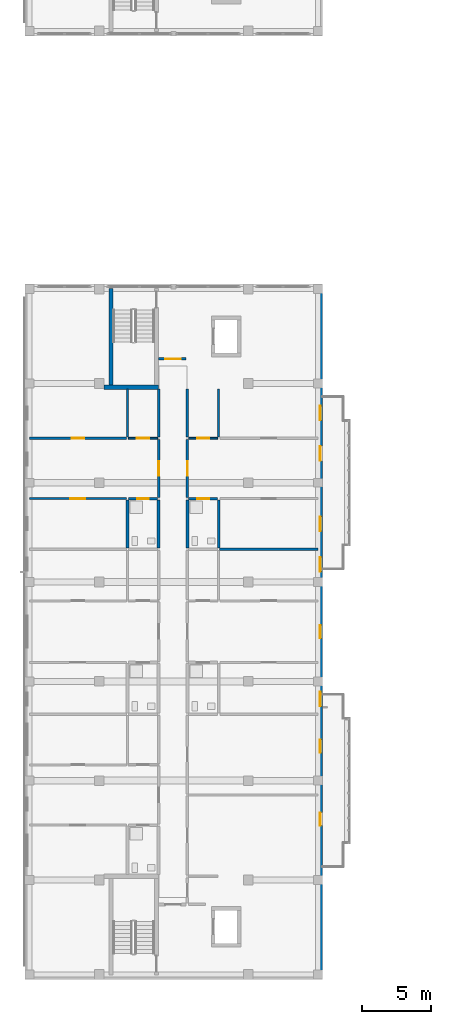
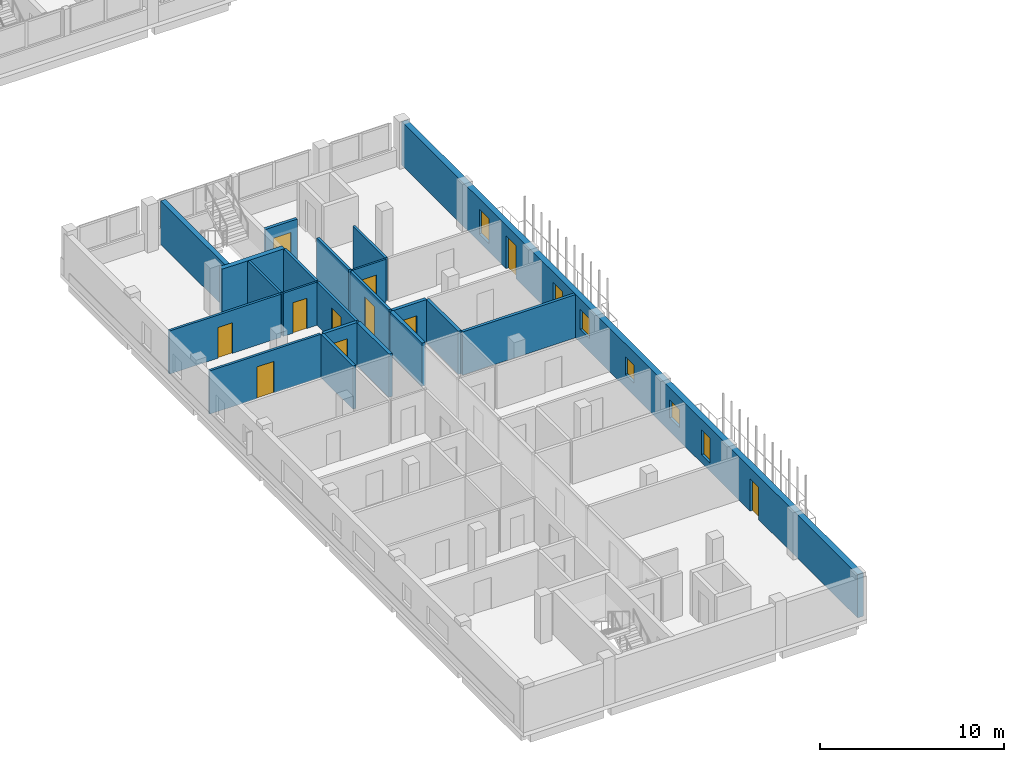
# One storey, part 26 of 51: 21 walls, 11 doors, 6 windows, 17 openings.
"""IFC4 building model written with IfcOpenShell, lengths in metres."""

from ifc_helpers import new_model, si_unit, derived_unit, direction, frame, frame_2d, origin, place, context, subcontext, project, spatial, rectangle, extrude, material, layer, layer_set, type_object, element, fill, save


model = new_model("IFC4")

# Units and contexts
model_context = context("Model", 3, precision=1e-05, world=origin(), true_north=direction((0.0, 1.0)))
body_context = subcontext(model_context, "Body", "Model", "MODEL_VIEW")
ifc_project = project(units=[si_unit("LENGTHUNIT", "METRE"), si_unit("AREAUNIT", "SQUARE_METRE"), si_unit("VOLUMEUNIT", "CUBIC_METRE"), si_unit("PLANEANGLEUNIT", "RADIAN"), si_unit("MASSUNIT", "GRAM", prefix="KILO"), derived_unit("THERMALTRANSMITTANCEUNIT", [(si_unit("MASSUNIT", "GRAM", prefix="KILO"), 1), (si_unit("TIMEUNIT", "SECOND"), -3), (si_unit("THERMODYNAMICTEMPERATUREUNIT", "KELVIN"), -1)])], contexts=[model_context])

# Site, building, storey
site_placement = place(None, origin())
site = spatial("IfcSite", under=ifc_project, at=site_placement, CompositionType="ELEMENT")
building_placement = place(site_placement, origin())
building = spatial("IfcBuilding", under=site, at=building_placement, Name="Ochrekiln Boulevard Commons", CompositionType="ELEMENT")
storey_placement = place(building_placement, frame((0.0, 0.0, 18.375)))
storey = spatial("IfcBuildingStorey", under=building, at=storey_placement, Name="L05", CompositionType="ELEMENT", Elevation=18.375)

# Wall, openings, doors, windows
ifc_material_1 = material(Name="Iron-spot brown clinker brick masonry ASTM C216 Grade SW", Category="masonry")
ifc_layer_1 = layer(ifc_material_1, 0.364990234375)
ifc_layer_set_1 = layer_set([ifc_layer_1], Name="Iron-spot brown clinker brick masonry ASTM C216 Grade SW")
wall_type_1 = type_object("IfcWallType", Name="WL-EXT-IRON-365", PredefinedType="SOLIDWALL", material=ifc_layer_set_1)
wall_1_placement = place(storey_placement, frame((21.41748046875, 0.364990234375, 0.0), z_axis=(0.0, 0.0, 1.0), x_axis=(0.0, 1.0, 0.0)))
wall_1 = element("IfcWall", 1, at=wall_1_placement, inside=storey, type_object=wall_type_1, Name="Block D L05 E Exterior Wall", PredefinedType="SOLIDWALL", context=body_context, shape_type="SweptSolid", body=[
    extrude(rectangle(XDim=49.669921875, YDim=0.364990234375, at=frame_2d((24.8349609375, 0.0))), origin(), (0.0, 0.0, 1.0), 2.889892578125),
])
opening_1_placement = place(wall_1_placement, frame((10.77099609375, 0.0, 0.0)))
opening_1 = element("IfcOpeningElement", 2, at=opening_1_placement, cuts=wall_1, Name="Opening D-L05-BL047", PredefinedType="OPENING", context=body_context, shape_type="SweptSolid", body=[
    extrude(rectangle(XDim=0.949951171875, YDim=2.14990234375, at=frame_2d((0.47509765625, 1.074951171875))), frame((0.0, 0.1923828125, 0.0), z_axis=(0.0, -1.0, 0.0), x_axis=(1.0, 0.0, 0.0)), (0.0, 0.0, 1.0), 0.385009765625),
])
opening_2_placement = place(wall_1_placement, frame((16.05810546875, 0.0, 0.554931640625)))
opening_2 = element("IfcOpeningElement", 3, at=opening_2_placement, cuts=wall_1, Name="Opening W-04", PredefinedType="OPENING", context=body_context, shape_type="SweptSolid", body=[
    extrude(rectangle(XDim=0.949951171875, YDim=1.64990234375, at=frame_2d((0.47509765625, 0.824951171875))), frame((0.0, 0.1923828125, 0.0), z_axis=(0.0, -1.0, 0.0), x_axis=(1.0, 0.0, 0.0)), (0.0, 0.0, 1.0), 0.385009765625),
])
opening_3_placement = place(wall_1_placement, frame((24.360107421875, 0.0, 0.85009765625)))
opening_3 = element("IfcOpeningElement", 4, at=opening_3_placement, cuts=wall_1, Name="Opening W-01", PredefinedType="OPENING", context=body_context, shape_type="SweptSolid", body=[
    extrude(rectangle(XDim=0.949951171875, YDim=1.199951171875, at=frame_2d((0.47509765625, 0.60009765625))), frame((0.0, 0.1923828125, 0.0), z_axis=(0.0, -1.0, 0.0), x_axis=(1.0, 0.0, 0.0)), (0.0, 0.0, 1.0), 0.385009765625),
])
opening_4_placement = place(wall_1_placement, frame((19.427978515625, 0.0, 0.89990234375)))
opening_4 = element("IfcOpeningElement", 5, at=opening_4_placement, cuts=wall_1, Name="Opening W-06", PredefinedType="OPENING", context=body_context, shape_type="SweptSolid", body=[
    extrude(rectangle(XDim=1.050048828125, YDim=1.199951171875, at=frame_2d((0.52490234375, 0.60009765625))), frame((0.0, 0.1923828125, 0.0), z_axis=(0.0, -1.0, 0.0), x_axis=(1.0, 0.0, 0.0)), (0.0, 0.0, 1.0), 0.385009765625),
])
opening_5_placement = place(wall_1_placement, frame((29.19189453125, 0.0, 0.85498046875)))
opening_5 = element("IfcOpeningElement", 6, at=opening_5_placement, cuts=wall_1, Name="Opening W-07", PredefinedType="OPENING", context=body_context, shape_type="SweptSolid", body=[
    extrude(rectangle(XDim=1.050048828125, YDim=1.35009765625, at=frame_2d((0.52490234375, 0.675048828125))), frame((0.0, 0.1923828125, 0.0), z_axis=(0.0, -1.0, 0.0), x_axis=(1.0, 0.0, 0.0)), (0.0, 0.0, 1.0), 0.385009765625),
])
opening_6_placement = place(wall_1_placement, frame((37.218017578125, 0.0, 0.0)))
opening_6 = element("IfcOpeningElement", 7, at=opening_6_placement, cuts=wall_1, Name="Opening D-L05-BL048", PredefinedType="OPENING", context=body_context, shape_type="SweptSolid", body=[
    extrude(rectangle(XDim=1.080078125, YDim=2.179931640625, at=frame_2d((0.5400390625, 1.08984375))), frame((0.0, 0.1923828125, 0.0), z_axis=(0.0, -1.0, 0.0), x_axis=(1.0, 0.0, 0.0)), (0.0, 0.0, 1.0), 0.385009765625),
])
opening_7_placement = place(wall_1_placement, frame((32.1298828125, 0.0, 0.705078125)))
opening_7 = element("IfcOpeningElement", 8, at=opening_7_placement, cuts=wall_1, Name="Opening W-08", PredefinedType="OPENING", context=body_context, shape_type="SweptSolid", body=[
    extrude(rectangle(XDim=1.050048828125, YDim=1.5, at=frame_2d((0.52490234375, 0.75))), frame((0.0, 0.1923828125, 0.0), z_axis=(0.0, -1.0, 0.0), x_axis=(1.0, 0.0, 0.0)), (0.0, 0.0, 1.0), 0.385009765625),
])
opening_8_placement = place(wall_1_placement, frame((40.1630859375, 0.0, 0.554931640625)))
opening_8 = element("IfcOpeningElement", 9, at=opening_8_placement, cuts=wall_1, Name="Opening W-09", PredefinedType="OPENING", context=body_context, shape_type="SweptSolid", body=[
    extrude(rectangle(XDim=1.050048828125, YDim=1.64990234375, at=frame_2d((0.52490234375, 0.824951171875))), frame((0.0, 0.1923828125, 0.0), z_axis=(0.0, -1.0, 0.0), x_axis=(1.0, 0.0, 0.0)), (0.0, 0.0, 1.0), 0.385009765625),
])
ifc_material_2 = material(Name="Thermally broken aluminium-clad oak frame", Category="aluminium")
door_type_1 = type_object("IfcDoorType", Name="DR-EXT-BAL-095", OperationType="NOTDEFINED", PredefinedType="DOOR", material=ifc_material_2)
door_1_placement = place(opening_1_placement, frame((0.949951171875, 0.0, 0.0), z_axis=(0.0, 0.0, 1.0), x_axis=(-1.0, 0.0, 0.0)))
door_1 = element("IfcDoor", 10, at=door_1_placement, inside=storey, type_object=door_type_1, Name="Block D L05 Glazed Balcony Patio Door", OperationType="SINGLE_SWING_RIGHT", OverallHeight=2.14990234375, OverallWidth=0.949951171875, PredefinedType="DOOR", context=body_context, shape_type="SweptSolid", body=[
    extrude(rectangle(XDim=0.949951171875, YDim=2.14990234375, at=frame_2d((0.47509765625, 1.074951171875))), frame((0.0, 0.02490234375, 0.0), z_axis=(0.0, -1.0, 0.0), x_axis=(1.0, 0.0, 0.0)), (0.0, 0.0, 1.0), 0.050048828125),
])
fill(opening_1, door_1)
door_type_2 = type_object("IfcDoorType", Name="DR-EXT-BAL-108", OperationType="NOTDEFINED", PredefinedType="DOOR", material=ifc_material_2)
door_2_placement = place(opening_6_placement, frame((1.080078125, 0.0, 0.0), z_axis=(0.0, 0.0, 1.0), x_axis=(-1.0, 0.0, 0.0)))
door_2 = element("IfcDoor", 11, at=door_2_placement, inside=storey, type_object=door_type_2, Name="Block D L05 Glazed Balcony Patio Door", OperationType="SINGLE_SWING_LEFT", OverallHeight=2.179931640625, OverallWidth=1.080078125, PredefinedType="DOOR", context=body_context, shape_type="SweptSolid", body=[
    extrude(rectangle(XDim=1.080078125, YDim=2.179931640625, at=frame_2d((0.5400390625, 1.08984375))), frame((0.0, 0.02490234375, 0.0), z_axis=(0.0, -1.0, 0.0), x_axis=(1.0, 0.0, 0.0)), (0.0, 0.0, 1.0), 0.050048828125),
])
fill(opening_6, door_2)
window_type_1 = type_object("IfcWindowType", Name="WIN-EXT-01", PartitioningType="SINGLE_PANEL", PredefinedType="WINDOW", material=ifc_material_2)
window_1_placement = place(opening_3_placement, origin())
window_1 = element("IfcWindow", 12, at=window_1_placement, inside=storey, type_object=window_type_1, Name="Block D L05 Punched Masonry Window W-01", OverallHeight=1.199951171875, OverallWidth=0.949951171875, PartitioningType="SINGLE_PANEL", PredefinedType="WINDOW", context=body_context, shape_type="SweptSolid", body=[
    extrude(rectangle(XDim=0.949951171875, YDim=1.199951171875, at=frame_2d((0.47509765625, 0.60009765625))), frame((0.0, 0.030029296875, 0.0), z_axis=(0.0, -1.0, 0.0), x_axis=(1.0, 0.0, 0.0)), (0.0, 0.0, 1.0), 0.06005859375),
])
fill(opening_3, window_1)
window_type_2 = type_object("IfcWindowType", Name="WIN-EXT-04", PartitioningType="SINGLE_PANEL", PredefinedType="WINDOW", material=ifc_material_2)
window_2_placement = place(opening_2_placement, origin())
window_2 = element("IfcWindow", 13, at=window_2_placement, inside=storey, type_object=window_type_2, Name="Block D L05 Punched Masonry Window W-04", OverallHeight=1.64990234375, OverallWidth=0.949951171875, PartitioningType="SINGLE_PANEL", PredefinedType="WINDOW", context=body_context, shape_type="SweptSolid", body=[
    extrude(rectangle(XDim=0.949951171875, YDim=1.64990234375, at=frame_2d((0.47509765625, 0.824951171875))), frame((0.0, 0.030029296875, 0.0), z_axis=(0.0, -1.0, 0.0), x_axis=(1.0, 0.0, 0.0)), (0.0, 0.0, 1.0), 0.06005859375),
])
fill(opening_2, window_2)
window_type_3 = type_object("IfcWindowType", Name="WIN-EXT-06", PartitioningType="SINGLE_PANEL", PredefinedType="WINDOW", material=ifc_material_2)
window_3_placement = place(opening_4_placement, origin())
window_3 = element("IfcWindow", 14, at=window_3_placement, inside=storey, type_object=window_type_3, Name="Block D L05 Punched Masonry Window W-06", OverallHeight=1.199951171875, OverallWidth=1.050048828125, PartitioningType="SINGLE_PANEL", PredefinedType="WINDOW", context=body_context, shape_type="SweptSolid", body=[
    extrude(rectangle(XDim=1.050048828125, YDim=1.199951171875, at=frame_2d((0.52490234375, 0.60009765625))), frame((0.0, 0.030029296875, 0.0), z_axis=(0.0, -1.0, 0.0), x_axis=(1.0, 0.0, 0.0)), (0.0, 0.0, 1.0), 0.06005859375),
])
fill(opening_4, window_3)
window_type_4 = type_object("IfcWindowType", Name="WIN-EXT-07", PartitioningType="SINGLE_PANEL", PredefinedType="WINDOW", material=ifc_material_2)
window_4_placement = place(opening_5_placement, origin())
window_4 = element("IfcWindow", 15, at=window_4_placement, inside=storey, type_object=window_type_4, Name="Block D L05 Punched Masonry Window W-07", OverallHeight=1.35009765625, OverallWidth=1.050048828125, PartitioningType="SINGLE_PANEL", PredefinedType="WINDOW", context=body_context, shape_type="SweptSolid", body=[
    extrude(rectangle(XDim=1.050048828125, YDim=1.35009765625, at=frame_2d((0.52490234375, 0.675048828125))), frame((0.0, 0.030029296875, 0.0), z_axis=(0.0, -1.0, 0.0), x_axis=(1.0, 0.0, 0.0)), (0.0, 0.0, 1.0), 0.06005859375),
])
fill(opening_5, window_4)
window_type_5 = type_object("IfcWindowType", Name="WIN-EXT-08", PartitioningType="SINGLE_PANEL", PredefinedType="WINDOW", material=ifc_material_2)
window_5_placement = place(opening_7_placement, origin())
window_5 = element("IfcWindow", 16, at=window_5_placement, inside=storey, type_object=window_type_5, Name="Block D L05 Punched Masonry Window W-08", OverallHeight=1.5, OverallWidth=1.050048828125, PartitioningType="SINGLE_PANEL", PredefinedType="WINDOW", context=body_context, shape_type="SweptSolid", body=[
    extrude(rectangle(XDim=1.050048828125, YDim=1.5, at=frame_2d((0.52490234375, 0.75))), frame((0.0, 0.030029296875, 0.0), z_axis=(0.0, -1.0, 0.0), x_axis=(1.0, 0.0, 0.0)), (0.0, 0.0, 1.0), 0.06005859375),
])
fill(opening_7, window_5)
window_type_6 = type_object("IfcWindowType", Name="WIN-EXT-09", PartitioningType="SINGLE_PANEL", PredefinedType="WINDOW", material=ifc_material_2)
window_6_placement = place(opening_8_placement, origin())
window_6 = element("IfcWindow", 17, at=window_6_placement, inside=storey, type_object=window_type_6, Name="Block D L05 Punched Masonry Window W-09", OverallHeight=1.64990234375, OverallWidth=1.050048828125, PartitioningType="SINGLE_PANEL", PredefinedType="WINDOW", context=body_context, shape_type="SweptSolid", body=[
    extrude(rectangle(XDim=1.050048828125, YDim=1.64990234375, at=frame_2d((0.52490234375, 0.824951171875))), frame((0.0, 0.030029296875, 0.0), z_axis=(0.0, -1.0, 0.0), x_axis=(1.0, 0.0, 0.0)), (0.0, 0.0, 1.0), 0.06005859375),
])
fill(opening_8, window_6)

# Wall, opening, door
ifc_material_3 = material(Name="Moisture-resistant cementitious tile backer wall")
ifc_layer_2 = layer(ifc_material_3, 0.199951171875)
ifc_layer_set_2 = layer_set([ifc_layer_2], Name="Moisture-resistant cementitious tile backer wall")
wall_type_2 = type_object("IfcWallType", Name="WL-PLM-200", PredefinedType="PLUMBINGWALL", material=ifc_layer_set_2)
wall_2_placement = place(storey_placement, frame((7.52001953125, 34.846923828125, 0.0), z_axis=(0.0, 0.0, 1.0), x_axis=(1.0, 0.0, 0.0)))
wall_2 = element("IfcWall", 18, at=wall_2_placement, inside=storey, type_object=wall_type_2, Name="L05 Interior Wall W-PW200", PredefinedType="PLUMBINGWALL", context=body_context, shape_type="SweptSolid", body=[
    extrude(rectangle(XDim=2.10791015625, YDim=0.199951171875, at=frame_2d((1.053955078125, 0.0))), origin(), (0.0, 0.0, 1.0), 2.8701171875),
])
opening_9_placement = place(wall_2_placement, frame((0.6201171875, 0.0, 0.0)))
opening_9 = element("IfcOpeningElement", 19, at=opening_9_placement, cuts=wall_2, Name="Opening D-L05-770", PredefinedType="OPENING", context=body_context, shape_type="SweptSolid", body=[
    extrude(rectangle(XDim=0.860107421875, YDim=2.0, at=frame_2d((0.43017578125, 1.0))), frame((0.0, 0.10986328125, 0.0), z_axis=(0.0, -1.0, 0.0), x_axis=(1.0, 0.0, 0.0)), (0.0, 0.0, 1.0), 0.219970703125),
])
ifc_material_4 = material(Name="Solid core architectural oak door leaf")
door_type_3 = type_object("IfcDoorType", Name="DR-INT-BTH-086", OperationType="NOTDEFINED", PredefinedType="DOOR", material=ifc_material_4)
door_3_placement = place(opening_9_placement, frame((0.860107421875, 0.0, 0.0), z_axis=(0.0, 0.0, 1.0), x_axis=(-1.0, 0.0, 0.0)))
door_3 = element("IfcDoor", 20, at=door_3_placement, inside=storey, type_object=door_type_3, Name="L05 Interior Door to Apartment Bathroom", OperationType="SINGLE_SWING_RIGHT", OverallHeight=2.0, OverallWidth=0.860107421875, PredefinedType="DOOR", context=body_context, shape_type="SweptSolid", body=[
    extrude(rectangle(XDim=0.860107421875, YDim=2.0, at=frame_2d((0.43017578125, 1.0))), frame((0.0, 0.02490234375, 0.0), z_axis=(0.0, -1.0, 0.0), x_axis=(1.0, 0.0, 0.0)), (0.0, 0.0, 1.0), 0.050048828125),
])
fill(opening_9, door_3)

# Wall
wall_3_placement = place(storey_placement, frame((7.43994140625, 31.27392578125, 0.0), z_axis=(0.0, 0.0, 1.0), x_axis=(0.0, 1.0, 0.0)))
element("IfcWall", 21, at=wall_3_placement, inside=storey, type_object=wall_type_2, Name="L05 Interior Wall W-PW200", PredefinedType="PLUMBINGWALL", context=body_context, shape_type="SweptSolid", body=[
    extrude(rectangle(XDim=3.4931640625, YDim=0.199951171875, at=frame_2d((1.74658203125, 0.0))), origin(), (0.0, 0.0, 1.0), 2.8701171875),
])

# Wall, opening, door
wall_4_placement = place(storey_placement, frame((11.8720703125, 34.846923828125, 0.0), z_axis=(0.0, 0.0, 1.0), x_axis=(1.0, 0.0, 0.0)))
wall_4 = element("IfcWall", 22, at=wall_4_placement, inside=storey, type_object=wall_type_2, Name="L05 Interior Wall W-PW200", PredefinedType="PLUMBINGWALL", context=body_context, shape_type="SweptSolid", body=[
    extrude(rectangle(XDim=2.10791015625, YDim=0.199951171875, at=frame_2d((1.053955078125, 0.0))), origin(), (0.0, 0.0, 1.0), 2.8701171875),
])
opening_10_placement = place(wall_4_placement, frame((0.6279296875, 0.0, 0.0)))
opening_10 = element("IfcOpeningElement", 23, at=opening_10_placement, cuts=wall_4, Name="Opening D-L05-778", PredefinedType="OPENING", context=body_context, shape_type="SweptSolid", body=[
    extrude(rectangle(XDim=0.860107421875, YDim=2.0, at=frame_2d((0.43017578125, 1.0))), frame((0.0, 0.10986328125, 0.0), z_axis=(0.0, -1.0, 0.0), x_axis=(1.0, 0.0, 0.0)), (0.0, 0.0, 1.0), 0.219970703125),
])
door_4_placement = place(opening_10_placement, frame((0.860107421875, 0.0, 0.0), z_axis=(0.0, 0.0, 1.0), x_axis=(-1.0, 0.0, 0.0)))
door_4 = element("IfcDoor", 24, at=door_4_placement, inside=storey, type_object=door_type_3, Name="L05 Interior Door to Apartment Bathroom", OperationType="SINGLE_SWING_RIGHT", OverallHeight=2.0, OverallWidth=0.860107421875, PredefinedType="DOOR", context=body_context, shape_type="SweptSolid", body=[
    extrude(rectangle(XDim=0.860107421875, YDim=2.0, at=frame_2d((0.43017578125, 1.0))), frame((0.0, 0.02490234375, 0.0), z_axis=(0.0, -1.0, 0.0), x_axis=(1.0, 0.0, 0.0)), (0.0, 0.0, 1.0), 0.050048828125),
])
fill(opening_10, door_4)

# Walls
wall_5_placement = place(storey_placement, frame((14.06005859375, 31.27392578125, 0.0), z_axis=(0.0, 0.0, 1.0), x_axis=(0.0, 1.0, 0.0)))
element("IfcWall", 25, at=wall_5_placement, inside=storey, type_object=wall_type_2, Name="L05 Interior Wall W-PW200", PredefinedType="PLUMBINGWALL", context=body_context, shape_type="SweptSolid", body=[
    extrude(rectangle(XDim=3.4931640625, YDim=0.199951171875, at=frame_2d((1.74658203125, 0.0))), origin(), (0.0, 0.0, 1.0), 2.8701171875),
])
ifc_layer_3 = layer(ifc_material_3, 0.219970703125)
ifc_layer_set_3 = layer_set([ifc_layer_3], Name="Moisture-resistant cementitious tile backer wall")
wall_type_3 = type_object("IfcWallType", Name="WL-PLM-220", PredefinedType="PLUMBINGWALL", material=ifc_layer_set_3)
for number, where, z_axis, x_axis, name in (
    (26, (9.7099609375, 31.27392578125, 0.0), (0.0, 0.0, 1.0), (0.0, 1.0, 0.0), "L05 Interior Wall W-PW220"),
    (27, (11.7900390625, 31.27392578125, 0.0), (0.0, 0.0, 1.0), (0.0, 1.0, 0.0), "L05 Interior Wall W-PW220"),
):
    element("IfcWall", number, at=place(storey_placement, frame(where, z_axis=z_axis, x_axis=x_axis)), inside=storey, type_object=wall_type_3, Name=name, PredefinedType="PLUMBINGWALL", context=body_context, shape_type="SweptSolid", body=[
        extrude(rectangle(XDim=3.4931640625, YDim=0.219970703125, at=frame_2d((1.74658203125, 0.0))), origin(), (0.0, 0.0, 1.0), 2.8701171875),
    ])

# Wall, opening, door
ifc_material_5 = material(Name="Fire-rated Type X gypsum board on steel studs", Category="steel")
ifc_layer_4 = layer(ifc_material_5, 0.1650390625)
ifc_layer_set_4 = layer_set([ifc_layer_4], Name="Fire-rated Type X gypsum board on steel studs")
wall_type_4 = type_object("IfcWallType", Name="WL-PT-CORR-165", PredefinedType="PARTITIONING", material=ifc_layer_set_4)
wall_6_placement = place(storey_placement, frame((9.7099609375, 34.927001953125, 0.0), z_axis=(0.0, 0.0, 1.0), x_axis=(0.0, 1.0, 0.0)))
wall_6 = element("IfcWall", 28, at=wall_6_placement, inside=storey, type_object=wall_type_4, Name="L05 Interior Wall W-PC165", PredefinedType="PARTITIONING", context=body_context, shape_type="SweptSolid", body=[
    extrude(rectangle(XDim=4.219970703125, YDim=0.1650390625, at=frame_2d((2.10986328125, 0.0))), origin(), (0.0, 0.0, 1.0), 2.8701171875),
])
opening_11_placement = place(wall_6_placement, frame((1.5849609375, 0.0, 0.0)))
opening_11 = element("IfcOpeningElement", 29, at=opening_11_placement, cuts=wall_6, Name="Opening D-L05-757", PredefinedType="OPENING", context=body_context, shape_type="SweptSolid", body=[
    extrude(rectangle(XDim=1.050048828125, YDim=2.1298828125, at=frame_2d((0.52490234375, 1.06494140625))), frame((0.0, 0.092529296875, 0.0), z_axis=(0.0, -1.0, 0.0), x_axis=(1.0, 0.0, 0.0)), (0.0, 0.0, 1.0), 0.18505859375),
])
door_type_4 = type_object("IfcDoorType", Name="DR-INT-APT-105", OperationType="NOTDEFINED", PredefinedType="DOOR", material=ifc_material_4)
door_5_placement = place(opening_11_placement, origin())
door_5 = element("IfcDoor", 30, at=door_5_placement, inside=storey, type_object=door_type_4, Name="L05 Interior Door to Two-Bedroom Apartment Living Room", OperationType="SINGLE_SWING_LEFT", OverallHeight=2.1298828125, OverallWidth=1.050048828125, PredefinedType="DOOR", context=body_context, shape_type="SweptSolid", body=[
    extrude(rectangle(XDim=1.050048828125, YDim=2.1298828125, at=frame_2d((0.52490234375, 1.06494140625))), frame((0.0, 0.02490234375, 0.0), z_axis=(0.0, -1.0, 0.0), x_axis=(1.0, 0.0, 0.0)), (0.0, 0.0, 1.0), 0.050048828125),
])
fill(opening_11, door_5)

# Wall
wall_7_placement = place(storey_placement, frame((9.7099609375, 39.306884765625, 0.0), z_axis=(0.0, 0.0, 1.0), x_axis=(0.0, 1.0, 0.0)))
element("IfcWall", 31, at=wall_7_placement, inside=storey, type_object=wall_type_4, Name="L05 Interior Wall W-PC165", PredefinedType="PARTITIONING", context=body_context, shape_type="SweptSolid", body=[
    extrude(rectangle(XDim=3.4931640625, YDim=0.1650390625, at=frame_2d((1.74658203125, 0.0))), origin(), (0.0, 0.0, 1.0), 2.8701171875),
])

# Wall, opening, door
wall_8_placement = place(storey_placement, frame((11.7900390625, 34.927001953125, 0.0), z_axis=(0.0, 0.0, 1.0), x_axis=(0.0, 1.0, 0.0)))
wall_8 = element("IfcWall", 32, at=wall_8_placement, inside=storey, type_object=wall_type_4, Name="L05 Interior Wall W-PC165", PredefinedType="PARTITIONING", context=body_context, shape_type="SweptSolid", body=[
    extrude(rectangle(XDim=4.219970703125, YDim=0.1650390625, at=frame_2d((2.10986328125, 0.0))), origin(), (0.0, 0.0, 1.0), 2.8701171875),
])
opening_12_placement = place(wall_8_placement, frame((1.5849609375, 0.0, 0.0)))
opening_12 = element("IfcOpeningElement", 33, at=opening_12_placement, cuts=wall_8, Name="Opening D-L05-761", PredefinedType="OPENING", context=body_context, shape_type="SweptSolid", body=[
    extrude(rectangle(XDim=1.050048828125, YDim=2.1298828125, at=frame_2d((0.52490234375, 1.06494140625))), frame((0.0, 0.092529296875, 0.0), z_axis=(0.0, -1.0, 0.0), x_axis=(1.0, 0.0, 0.0)), (0.0, 0.0, 1.0), 0.18505859375),
])
door_6_placement = place(opening_12_placement, frame((1.050048828125, 0.0, 0.0), z_axis=(0.0, 0.0, 1.0), x_axis=(-1.0, 0.0, 0.0)))
door_6 = element("IfcDoor", 34, at=door_6_placement, inside=storey, type_object=door_type_4, Name="L05 Interior Door to Two-Bedroom Apartment Living Room", OperationType="SINGLE_SWING_LEFT", OverallHeight=2.1298828125, OverallWidth=1.050048828125, PredefinedType="DOOR", context=body_context, shape_type="SweptSolid", body=[
    extrude(rectangle(XDim=1.050048828125, YDim=2.1298828125, at=frame_2d((0.52490234375, 1.06494140625))), frame((0.0, 0.02490234375, 0.0), z_axis=(0.0, -1.0, 0.0), x_axis=(1.0, 0.0, 0.0)), (0.0, 0.0, 1.0), 0.050048828125),
])
fill(opening_12, door_6)

# Walls
wall_9_placement = place(storey_placement, frame((11.7900390625, 39.306884765625, 0.0), z_axis=(0.0, 0.0, 1.0), x_axis=(0.0, 1.0, 0.0)))
element("IfcWall", 35, at=wall_9_placement, inside=storey, type_object=wall_type_4, Name="L05 Interior Wall W-PC165", PredefinedType="PARTITIONING", context=body_context, shape_type="SweptSolid", body=[
    extrude(rectangle(XDim=3.4931640625, YDim=0.1650390625, at=frame_2d((1.74658203125, 0.0))), origin(), (0.0, 0.0, 1.0), 2.8701171875),
])
ifc_layer_5 = layer(ifc_material_5, 0.179931640625)
ifc_layer_set_5 = layer_set([ifc_layer_5], Name="Fire-rated Type X gypsum board on steel studs")
wall_type_5 = type_object("IfcWallType", Name="WL-PT-DEM-180", PredefinedType="PARTITIONING", material=ifc_layer_set_5)
wall_10_placement = place(storey_placement, frame((14.135009765625, 31.18408203125, 0.0), z_axis=(0.0, 0.0, 1.0), x_axis=(1.0, 0.0, 0.0)))
element("IfcWall", 36, at=wall_10_placement, inside=storey, type_object=wall_type_5, Name="L05 Interior Wall W-PD180", PredefinedType="PARTITIONING", context=body_context, shape_type="SweptSolid", body=[
    extrude(rectangle(XDim=7.114990234375, YDim=0.179931640625, at=frame_2d((3.5576171875, 0.0))), origin(), (0.0, 0.0, 1.0), 2.8701171875),
])

# Wall, opening, door
ifc_layer_6 = layer(ifc_material_5, 0.18994140625)
ifc_layer_set_6 = layer_set([ifc_layer_6], Name="Fire-rated Type X gypsum board on steel studs")
wall_type_6 = type_object("IfcWallType", Name="WL-PT-LBY-190", PredefinedType="PARTITIONING", material=ifc_layer_set_6)
wall_11_placement = place(storey_placement, frame((9.699951171875, 44.97998046875, 0.0), z_axis=(0.0, 0.0, 1.0), x_axis=(1.0, 0.0, 0.0)))
wall_11 = element("IfcWall", 37, at=wall_11_placement, inside=storey, type_object=wall_type_6, Name="L05 Interior Wall W-PL190", PredefinedType="PARTITIONING", context=body_context, shape_type="SweptSolid", body=[
    extrude(rectangle(XDim=2.0, YDim=0.18994140625, at=frame_2d((1.0, 0.0))), origin(), (0.0, 0.0, 1.0), 2.8701171875),
])
opening_13_placement = place(wall_11_placement, frame((0.5, 0.0, 0.0)))
opening_13 = element("IfcOpeningElement", 38, at=opening_13_placement, cuts=wall_11, Name="Opening D-L05-753", PredefinedType="OPENING", context=body_context, shape_type="SweptSolid", body=[
    extrude(rectangle(XDim=1.10009765625, YDim=2.1201171875, at=frame_2d((0.550048828125, 1.06005859375))), frame((0.0, 0.10498046875, 0.0), z_axis=(0.0, -1.0, 0.0), x_axis=(1.0, 0.0, 0.0)), (0.0, 0.0, 1.0), 0.2099609375),
])
ifc_material_6 = material(Name="Hollow metal fire-rated steel door assembly", Category="steel")
door_type_5 = type_object("IfcDoorType", Name="DR-LOBBY-60", OperationType="NOTDEFINED", PredefinedType="DOOR", material=ifc_material_6)
door_7_placement = place(opening_13_placement, origin())
door_7 = element("IfcDoor", 39, at=door_7_placement, inside=storey, type_object=door_type_5, Name="L05 Interior Door to Passenger Elevator Lobby", OperationType="SINGLE_SWING_LEFT", OverallHeight=2.1201171875, OverallWidth=1.10009765625, PredefinedType="DOOR", context=body_context, shape_type="SweptSolid", body=[
    extrude(rectangle(XDim=1.10009765625, YDim=2.1201171875, at=frame_2d((0.550048828125, 1.06005859375))), frame((0.0, 0.02490234375, 0.0), z_axis=(0.0, -1.0, 0.0), x_axis=(1.0, 0.0, 0.0)), (0.0, 0.0, 1.0), 0.050048828125),
])
fill(opening_13, door_7)

ifc_layer_7 = layer(ifc_material_5, 0.1201171875)
ifc_layer_set_7 = layer_set([ifc_layer_7], Name="Fire-rated Type X gypsum board on steel studs")
wall_type_7 = type_object("IfcWallType", Name="WL-PT-LGT-120", PredefinedType="PARTITIONING", material=ifc_layer_set_7)
wall_12_placement = place(storey_placement, frame((7.52001953125, 39.22705078125, 0.0), z_axis=(0.0, 0.0, 1.0), x_axis=(1.0, 0.0, 0.0)))
wall_12 = element("IfcWall", 40, at=wall_12_placement, inside=storey, type_object=wall_type_7, Name="L05 Interior Wall W-PL120", PredefinedType="PARTITIONING", context=body_context, shape_type="SweptSolid", body=[
    extrude(rectangle(XDim=2.10791015625, YDim=0.1201171875, at=frame_2d((1.053955078125, 0.0))), origin(), (0.0, 0.0, 1.0), 2.8701171875),
])
opening_14_placement = place(wall_12_placement, frame((0.610107421875, 0.0, 0.0)))
opening_14 = element("IfcOpeningElement", 41, at=opening_14_placement, cuts=wall_12, Name="Opening D-L05-771", PredefinedType="OPENING", context=body_context, shape_type="SweptSolid", body=[
    extrude(rectangle(XDim=0.8798828125, YDim=2.02001953125, at=frame_2d((0.43994140625, 1.010009765625))), frame((0.0, 0.070068359375, 0.0), z_axis=(0.0, -1.0, 0.0), x_axis=(1.0, 0.0, 0.0)), (0.0, 0.0, 1.0), 0.14013671875),
])
door_type_6 = type_object("IfcDoorType", Name="DR-INT-KIT-088", OperationType="NOTDEFINED", PredefinedType="DOOR", material=ifc_material_4)
door_8_placement = place(opening_14_placement, origin())
door_8 = element("IfcDoor", 42, at=door_8_placement, inside=storey, type_object=door_type_6, Name="L05 Interior Door to Apartment Kitchen", OperationType="SINGLE_SWING_LEFT", OverallHeight=2.02001953125, OverallWidth=0.8798828125, PredefinedType="DOOR", context=body_context, shape_type="SweptSolid", body=[
    extrude(rectangle(XDim=0.8798828125, YDim=2.02001953125, at=frame_2d((0.43994140625, 1.010009765625))), frame((0.0, 0.02490234375, 0.0), z_axis=(0.0, -1.0, 0.0), x_axis=(1.0, 0.0, 0.0)), (0.0, 0.0, 1.0), 0.050048828125),
])
fill(opening_14, door_8)

wall_13_placement = place(storey_placement, frame((11.8720703125, 39.22705078125, 0.0), z_axis=(0.0, 0.0, 1.0), x_axis=(1.0, 0.0, 0.0)))
wall_13 = element("IfcWall", 43, at=wall_13_placement, inside=storey, type_object=wall_type_7, Name="L05 Interior Wall W-PL120", PredefinedType="PARTITIONING", context=body_context, shape_type="SweptSolid", body=[
    extrude(rectangle(XDim=2.10791015625, YDim=0.1201171875, at=frame_2d((1.053955078125, 0.0))), origin(), (0.0, 0.0, 1.0), 2.8701171875),
])
opening_15_placement = place(wall_13_placement, frame((0.617919921875, 0.0, 0.0)))
opening_15 = element("IfcOpeningElement", 44, at=opening_15_placement, cuts=wall_13, Name="Opening D-L05-779", PredefinedType="OPENING", context=body_context, shape_type="SweptSolid", body=[
    extrude(rectangle(XDim=0.8798828125, YDim=2.02001953125, at=frame_2d((0.43994140625, 1.010009765625))), frame((0.0, 0.070068359375, 0.0), z_axis=(0.0, -1.0, 0.0), x_axis=(1.0, 0.0, 0.0)), (0.0, 0.0, 1.0), 0.14013671875),
])
door_9_placement = place(opening_15_placement, origin())
door_9 = element("IfcDoor", 45, at=door_9_placement, inside=storey, type_object=door_type_6, Name="L05 Interior Door to Apartment Kitchen", OperationType="SINGLE_SWING_LEFT", OverallHeight=2.02001953125, OverallWidth=0.8798828125, PredefinedType="DOOR", context=body_context, shape_type="SweptSolid", body=[
    extrude(rectangle(XDim=0.8798828125, YDim=2.02001953125, at=frame_2d((0.43994140625, 1.010009765625))), frame((0.0, 0.02490234375, 0.0), z_axis=(0.0, -1.0, 0.0), x_axis=(1.0, 0.0, 0.0)), (0.0, 0.0, 1.0), 0.050048828125),
])
fill(opening_15, door_9)

ifc_layer_8 = layer(ifc_material_5, 0.14990234375)
ifc_layer_set_8 = layer_set([ifc_layer_8], Name="Fire-rated Type X gypsum board on steel studs")
wall_type_8 = type_object("IfcWallType", Name="WL-PT-STD-150", PredefinedType="PARTITIONING", material=ifc_layer_set_8)
wall_14_placement = place(storey_placement, frame((0.35009765625, 34.846923828125, 0.0), z_axis=(0.0, 0.0, 1.0), x_axis=(1.0, 0.0, 0.0)))
wall_14 = element("IfcWall", 46, at=wall_14_placement, inside=storey, type_object=wall_type_8, Name="L05 Interior Wall W-PS150", PredefinedType="PARTITIONING", context=body_context, shape_type="SweptSolid", body=[
    extrude(rectangle(XDim=7.010009765625, YDim=0.14990234375, at=frame_2d((3.5048828125, 0.0))), origin(), (0.0, 0.0, 1.0), 2.8701171875),
])
opening_16_placement = place(wall_14_placement, frame((2.965087890625, 0.0, 0.0)))
opening_16 = element("IfcOpeningElement", 47, at=opening_16_placement, cuts=wall_14, Name="Opening D-L05-772", PredefinedType="OPENING", context=body_context, shape_type="SweptSolid", body=[
    extrude(rectangle(XDim=1.080078125, YDim=2.10009765625, at=frame_2d((0.5400390625, 1.050048828125))), frame((0.0, 0.0849609375, 0.0), z_axis=(0.0, -1.0, 0.0), x_axis=(1.0, 0.0, 0.0)), (0.0, 0.0, 1.0), 0.169921875),
])
door_type_7 = type_object("IfcDoorType", Name="DR-INT-BED-108", OperationType="NOTDEFINED", PredefinedType="DOOR", material=ifc_material_4)
door_10_placement = place(opening_16_placement, frame((1.080078125, 0.0, 0.0), z_axis=(0.0, 0.0, 1.0), x_axis=(-1.0, 0.0, 0.0)))
door_10 = element("IfcDoor", 48, at=door_10_placement, inside=storey, type_object=door_type_7, Name="L05 Interior Door to Primary Apartment Bedroom", OperationType="SINGLE_SWING_RIGHT", OverallHeight=2.10009765625, OverallWidth=1.080078125, PredefinedType="DOOR", context=body_context, shape_type="SweptSolid", body=[
    extrude(rectangle(XDim=1.080078125, YDim=2.10009765625, at=frame_2d((0.5400390625, 1.050048828125))), frame((0.0, 0.02490234375, 0.0), z_axis=(0.0, -1.0, 0.0), x_axis=(1.0, 0.0, 0.0)), (0.0, 0.0, 1.0), 0.050048828125),
])
fill(opening_16, door_10)

wall_15_placement = place(storey_placement, frame((0.35009765625, 39.22705078125, 0.0), z_axis=(0.0, 0.0, 1.0), x_axis=(1.0, 0.0, 0.0)))
wall_15 = element("IfcWall", 49, at=wall_15_placement, inside=storey, type_object=wall_type_8, Name="L05 Interior Wall W-PS150", PredefinedType="PARTITIONING", context=body_context, shape_type="SweptSolid", body=[
    extrude(rectangle(XDim=7.010009765625, YDim=0.14990234375, at=frame_2d((3.5048828125, 0.0))), origin(), (0.0, 0.0, 1.0), 2.8701171875),
])
opening_17_placement = place(wall_15_placement, frame((3.054931640625, 0.0, 0.0)))
opening_17 = element("IfcOpeningElement", 50, at=opening_17_placement, cuts=wall_15, Name="Opening D-L05-773", PredefinedType="OPENING", context=body_context, shape_type="SweptSolid", body=[
    extrude(rectangle(XDim=0.89990234375, YDim=2.0400390625, at=frame_2d((0.449951171875, 1.02001953125))), frame((0.0, 0.0849609375, 0.0), z_axis=(0.0, -1.0, 0.0), x_axis=(1.0, 0.0, 0.0)), (0.0, 0.0, 1.0), 0.169921875),
])
door_type_8 = type_object("IfcDoorType", Name="DR-INT-BED-090", OperationType="NOTDEFINED", PredefinedType="DOOR", material=ifc_material_4)
door_11_placement = place(opening_17_placement, origin())
door_11 = element("IfcDoor", 51, at=door_11_placement, inside=storey, type_object=door_type_8, Name="L05 Interior Door to Secondary Apartment Bedroom", OperationType="SINGLE_SWING_LEFT", OverallHeight=2.0400390625, OverallWidth=0.89990234375, PredefinedType="DOOR", context=body_context, shape_type="SweptSolid", body=[
    extrude(rectangle(XDim=0.89990234375, YDim=2.0400390625, at=frame_2d((0.449951171875, 1.02001953125))), frame((0.0, 0.02490234375, 0.0), z_axis=(0.0, -1.0, 0.0), x_axis=(1.0, 0.0, 0.0)), (0.0, 0.0, 1.0), 0.050048828125),
])
fill(opening_17, door_11)

# Walls
for number, where, z_axis, x_axis, name in (
    (52, (7.43994140625, 39.302001953125, 0.0), (0.0, 0.0, 1.0), (0.0, 1.0, 0.0), "L05 Interior Wall W-PS150"),
    (53, (14.06005859375, 39.302001953125, 0.0), (0.0, 0.0, 1.0), (0.0, 1.0, 0.0), "L05 Interior Wall W-PS150"),
):
    element("IfcWall", number, at=place(storey_placement, frame(where, z_axis=z_axis, x_axis=x_axis)), inside=storey, type_object=wall_type_8, Name=name, PredefinedType="PARTITIONING", context=body_context, shape_type="SweptSolid", body=[
        extrude(rectangle(XDim=3.498046875, YDim=0.14990234375, at=frame_2d((1.7490234375, 0.0))), origin(), (0.0, 0.0, 1.0), 2.8701171875),
    ])
ifc_material_7 = material(Name="Concrete C40/50", Category="concrete")
ifc_layer_9 = layer(ifc_material_7, 0.300048828125)
ifc_layer_set_9 = layer_set([ifc_layer_9], Name="Concrete C40/50")
wall_type_9 = type_object("IfcWallType", Name="WL-SH-300", PredefinedType="SHEAR", material=ifc_layer_set_9)
wall_16_placement = place(storey_placement, frame((5.75, 42.929931640625, 0.0), z_axis=(0.0, 0.0, 1.0), x_axis=(1.0, 0.0, 0.0)))
element("IfcWall", 54, at=wall_16_placement, inside=storey, type_object=wall_type_9, Name="Stair ST-D2 L05 Core Shear Wall S", PredefinedType="SHEAR", context=body_context, shape_type="SweptSolid", body=[
    extrude(rectangle(XDim=3.949951171875, YDim=0.300048828125, at=frame_2d((1.97509765625, 0.0))), origin(), (0.0, 0.0, 1.0), 2.889892578125),
])
wall_17_placement = place(storey_placement, frame((6.25, 43.080078125, 0.0), z_axis=(0.0, 0.0, 1.0), x_axis=(0.0, 1.0, 0.0)))
element("IfcWall", 55, at=wall_17_placement, inside=storey, type_object=wall_type_9, Name="Stair ST-D2 L05 Core Shear Wall W", PredefinedType="SHEAR", context=body_context, shape_type="SweptSolid", body=[
    extrude(rectangle(XDim=7.0, YDim=0.300048828125, at=frame_2d((3.5, 0.0))), origin(), (0.0, 0.0, 1.0), 2.889892578125),
])

save(model, "model.ifc")
